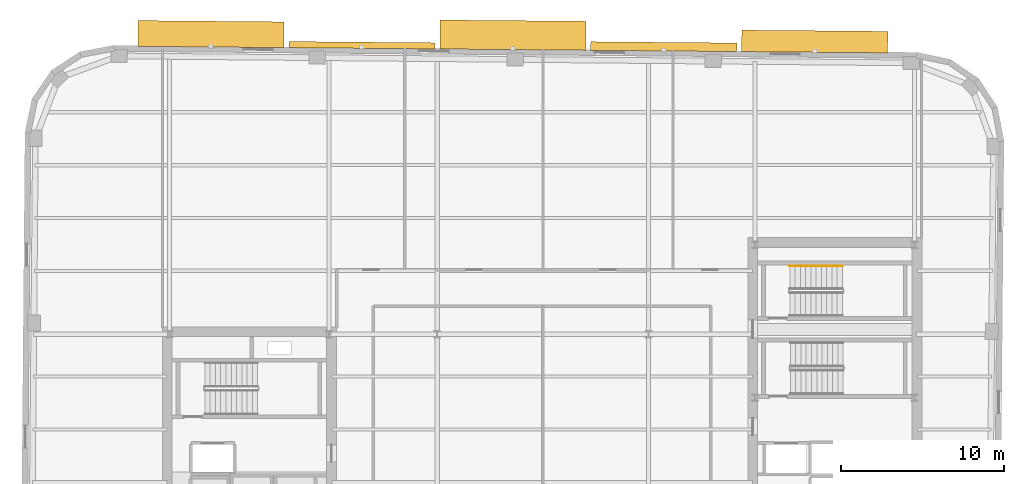
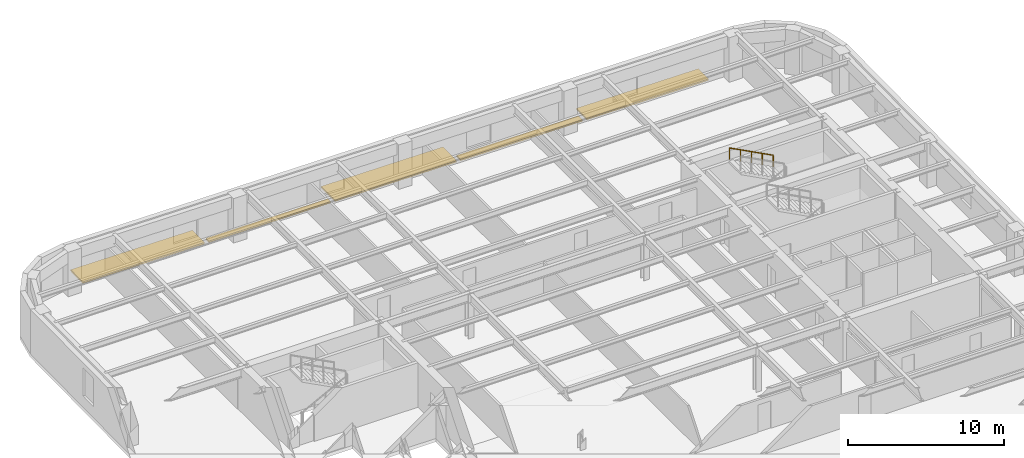
# One storey, part 10 of 10: 5 shading devices, 1 railing.
"""IFC4 building model written with IfcOpenShell, lengths in metres."""

from ifc_helpers import new_model, si_unit, direction, frame, origin, origin_2d, place, context, subcontext, project, spatial, rectangle, circle, extrude, material, type_object, element, save


model = new_model("IFC4")

# Units and contexts
model_context = context("Model", 3, precision=1e-05, world=origin(), true_north=direction((0.0, 1.0)))
body_context = subcontext(model_context, "Body", "Model", "MODEL_VIEW")
ifc_project = project(units=[si_unit("LENGTHUNIT", "METRE"), si_unit("AREAUNIT", "SQUARE_METRE"), si_unit("VOLUMEUNIT", "CUBIC_METRE"), si_unit("PLANEANGLEUNIT", "RADIAN"), si_unit("MASSUNIT", "GRAM", prefix="KILO")], contexts=[model_context])

# Site, building, storey
site_placement = place(None, origin())
site = spatial("IfcSite", under=ifc_project, at=site_placement, CompositionType="ELEMENT")
building_placement = place(site_placement, origin())
building = spatial("IfcBuilding", under=site, at=building_placement, Name="Kolvaren Arena Tower", CompositionType="ELEMENT")
storey_placement = place(building_placement, frame((0.0, 0.0, 192.199951171875)))
storey = spatial("IfcBuildingStorey", under=building, at=storey_placement, Name="L46", CompositionType="ELEMENT", Elevation=192.199951171875)

# Railing
ifc_material_1 = material(Name="Brushed stainless steel handrail", Category="steel")
railing_type = type_object("IfcRailingType", Name="HRAIL-900", PredefinedType="HANDRAIL", material=ifc_material_1)
railing_placement = place(storey_placement, frame((55.919921875, 38.050048828125, 2.04541015625)))
element("IfcRailing", 1, at=railing_placement, inside=storey, type_object=railing_type, Name="L46 ST-E2 stair handrail 2", PredefinedType="HANDRAIL", context=body_context, shape_type="SweptSolid", body=[
    extrude(circle(Radius=0.02392578125, at=origin_2d()), frame((0.0, 0.0, 0.8759765625), z_axis=(-0.884993431791, 0.0, 0.465603506952), x_axis=(0.0, -1.0, 0.0)), (0.0, 0.0, 1.0), 3.6611328125),
    extrude(circle(Radius=0.02099609375, at=origin_2d()), origin(), (0.0, 0.0, 1.0), 0.851806640625),
    extrude(circle(Radius=0.02099609375, at=origin_2d()), frame((-0.81005859375, 0.0, 0.42626953125)), (0.0, 0.0, 1.0), 0.851806640625),
    extrude(circle(Radius=0.02099609375, at=origin_2d()), frame((-1.6201171875, 0.0, 0.852294921875)), (0.0, 0.0, 1.0), 0.851806640625),
    extrude(circle(Radius=0.02099609375, at=origin_2d()), frame((-2.429931640625, 0.0, 1.2783203125)), (0.0, 0.0, 1.0), 0.851806640625),
    extrude(circle(Radius=0.02099609375, at=origin_2d()), frame((-3.239990234375, 0.0, 1.70458984375)), (0.0, 0.0, 1.0), 0.851806640625),
])

# Shading devices
ifc_material_2 = material(Name="Architectural precast GFRC and anodised aluminium sunshade", Category="concrete")
shading_device_type_1 = type_object("IfcShadingDeviceType", Name="SHAD-SINE-A", PredefinedType="USERDEFINED", material=ifc_material_2)
shading_device_1_placement = place(storey_placement, frame((26.37060546875, 51.62109375, -0.139892578125), z_axis=(0.0, 0.0, 1.0), x_axis=(0.999961923064, -0.008726535498, 0.0)))
element("IfcShadingDevice", 2, at=shading_device_1_placement, inside=storey, type_object=shading_device_type_1, Name="Sinusoidal Slab-Edge Sunshade Louvre (L46)", ObjectType="LOUVRE", PredefinedType="USERDEFINED", context=body_context, shape_type="SweptSolid", body=[
    extrude(rectangle(XDim=8.97998046875, YDim=0.379638671875, at=origin_2d()), origin(), (0.0, 0.0, 1.0), 0.1201171875),
])
shading_device_2_placement = place(storey_placement, frame((44.930419921875, 51.5341796875, -0.139892578125), z_axis=(0.0, 0.0, 1.0), x_axis=(0.999961923064, -0.008726535498, 0.0)))
element("IfcShadingDevice", 3, at=shading_device_2_placement, inside=storey, type_object=shading_device_type_1, Name="Sinusoidal Slab-Edge Sunshade Louvre (L46)", ObjectType="LOUVRE", PredefinedType="USERDEFINED", context=body_context, shape_type="SweptSolid", body=[
    extrude(rectangle(XDim=8.97998046875, YDim=0.529296875, at=origin_2d()), origin(), (0.0, 0.0, 1.0), 0.1201171875),
])
shading_device_type_2 = type_object("IfcShadingDeviceType", Name="SHAD-SINE-B", PredefinedType="JALOUSIE", material=ifc_material_2)
shading_device_3_placement = place(storey_placement, frame((17.09619140625, 52.30517578125, -0.139892578125), z_axis=(0.0, 0.0, 1.0), x_axis=(0.999961923064, -0.008726535498, 0.0)))
element("IfcShadingDevice", 4, at=shading_device_3_placement, inside=storey, type_object=shading_device_type_2, Name="Sinusoidal Slab-Edge Sunshade Louvre (L46)", PredefinedType="JALOUSIE", context=body_context, shape_type="SweptSolid", body=[
    extrude(rectangle(XDim=8.97998046875, YDim=1.585693359375, at=origin_2d()), origin(), (0.0, 0.0, 1.0), 0.1201171875),
])
shading_device_4_placement = place(storey_placement, frame((35.65625, 52.241943359375, -0.139892578125), z_axis=(0.0, 0.0, 1.0), x_axis=(0.999961923064, -0.008726535498, 0.0)))
element("IfcShadingDevice", 5, at=shading_device_4_placement, inside=storey, type_object=shading_device_type_2, Name="Sinusoidal Slab-Edge Sunshade Louvre (L46)", PredefinedType="JALOUSIE", context=body_context, shape_type="SweptSolid", body=[
    extrude(rectangle(XDim=8.97998046875, YDim=1.783203125, at=origin_2d()), origin(), (0.0, 0.0, 1.0), 0.1201171875),
])
shading_device_5_placement = place(storey_placement, frame((54.213623046875, 51.85009765625, -0.139892578125), z_axis=(0.0, 0.0, 1.0), x_axis=(0.999961923064, -0.008726535498, 0.0)))
element("IfcShadingDevice", 6, at=shading_device_5_placement, inside=storey, type_object=shading_device_type_2, Name="Sinusoidal Slab-Edge Sunshade Louvre (L46)", PredefinedType="JALOUSIE", context=body_context, shape_type="SweptSolid", body=[
    extrude(rectangle(XDim=8.97998046875, YDim=1.3232421875, at=origin_2d()), origin(), (0.0, 0.0, 1.0), 0.1201171875),
])

save(model, "model.ifc")
